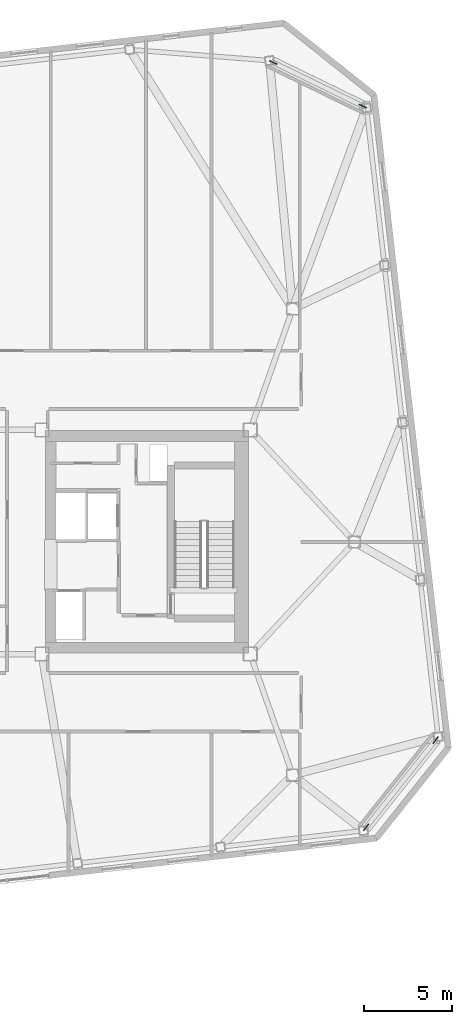
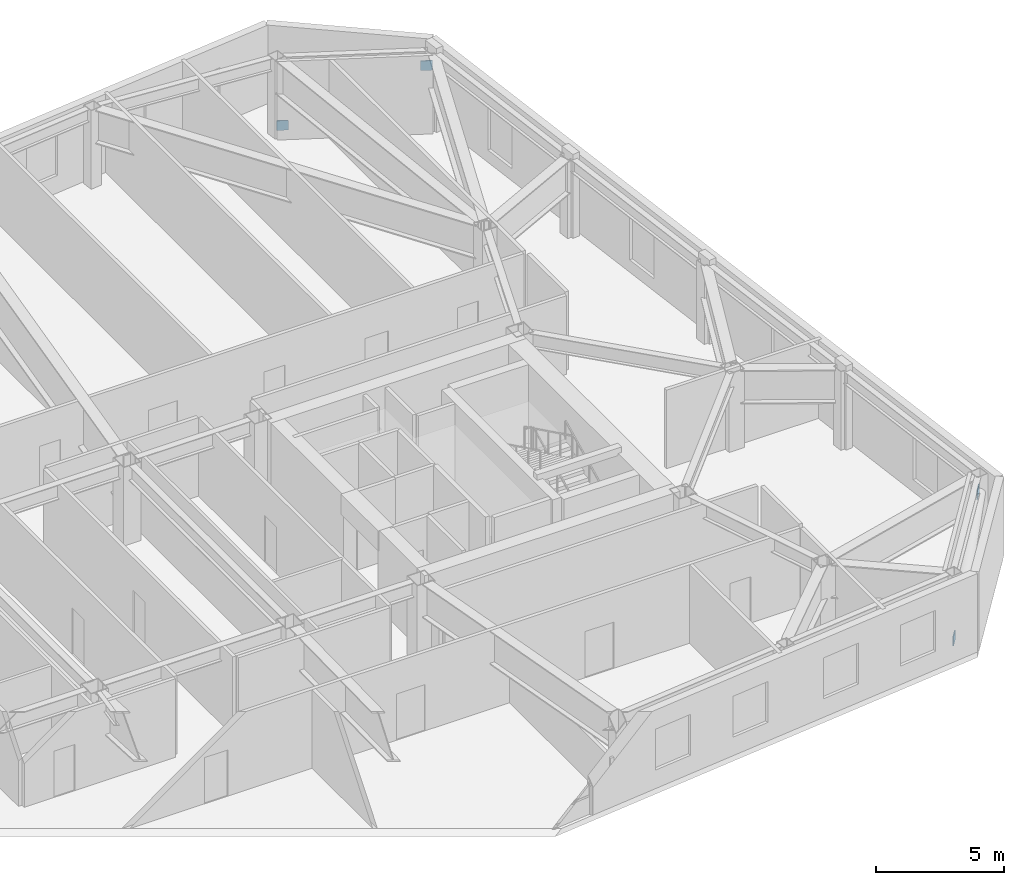
# One storey, part 17 of 18: 4 discrete accessories.
"""IFC4 building model written with IfcOpenShell, lengths in metres."""

from ifc_helpers import new_model, si_unit, direction, frame, origin, origin_2d, place, context, subcontext, project, spatial, rectangle, extrude, material, type_object, element, save


model = new_model("IFC4")

# Units and contexts
model_context = context("Model", 3, precision=1e-05, world=origin(), true_north=direction((0.0, 1.0)))
body_context = subcontext(model_context, "Body", "Model", "MODEL_VIEW")
ifc_project = project(units=[si_unit("LENGTHUNIT", "METRE"), si_unit("AREAUNIT", "SQUARE_METRE"), si_unit("VOLUMEUNIT", "CUBIC_METRE"), si_unit("PLANEANGLEUNIT", "RADIAN"), si_unit("MASSUNIT", "GRAM", prefix="KILO")], contexts=[model_context])

# Site, building, storey
site_placement = place(None, origin())
site = spatial("IfcSite", under=ifc_project, at=site_placement, CompositionType="ELEMENT")
building_placement = place(site_placement, origin())
building = spatial("IfcBuilding", under=site, at=building_placement, Name="Tavrogorsk Clinical Tower", CompositionType="ELEMENT")
storey_placement = place(building_placement, frame((0.0, 0.0, 226.199951171875)))
storey = spatial("IfcBuildingStorey", under=building, at=storey_placement, Name="L52", CompositionType="ELEMENT", Elevation=226.199951171875)

# Discrete accessories
ifc_material = material(Name="Structural steel S440", Category="steel")
discrete_accessory_type = type_object("IfcDiscreteAccessoryType", Name="GussetPlateBracket_25", PredefinedType="BRACKET", material=ifc_material)
for number, where, z_axis, x_axis, name in (
    (1, (28.6572265625, -16.15869140625, 0.168212890625), (0.0, 0.0, 1.0), (0.622514636638, 0.782608156852, 0.0), "L52 Brace Gusset Plate EXOCRN-L52-1-A"),
    (2, (32.5859375, -11.2197265625, 2.761962890625), (0.0, 0.0, 1.0), (0.622514636638, 0.782608156852, 0.0), "L52 Brace Gusset Plate EXOCRN-L52-1-B"),
    (3, (23.399169921875, 27.150634765625, 0.17724609375), (0.0, 0.0, 1.0), (0.898794046299, -0.438371146789, 0.0), "L52 Brace Gusset Plate EXOCRN-L52-2-A"),
    (4, (28.46630859375, 24.679443359375, 2.7529296875), (0.0, 0.0, 1.0), (0.898794046299, -0.438371146789, 0.0), "L52 Brace Gusset Plate EXOCRN-L52-2-B"),
):
    element("IfcDiscreteAccessory", number, at=place(storey_placement, frame(where, z_axis=z_axis, x_axis=x_axis)), inside=storey, type_object=discrete_accessory_type, Name=name, PredefinedType="BRACKET", context=body_context, shape_type="SweptSolid", body=[
        extrude(rectangle(XDim=0.4599609375, YDim=0.0400390625, at=origin_2d()), origin(), (0.0, 0.0, 1.0), 0.4599609375),
    ])

save(model, "model.ifc")
